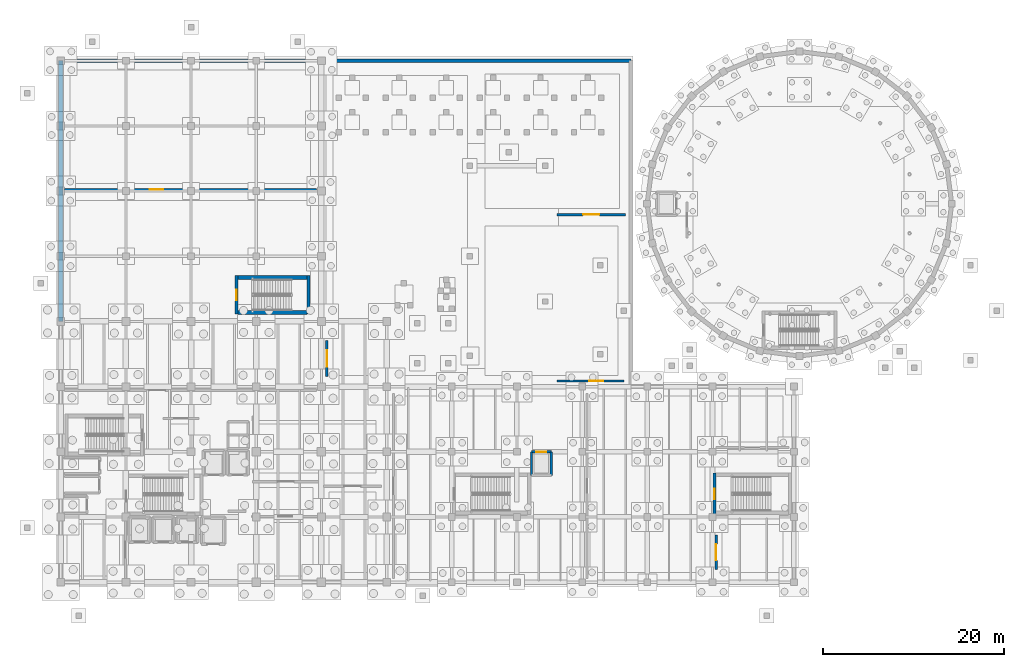
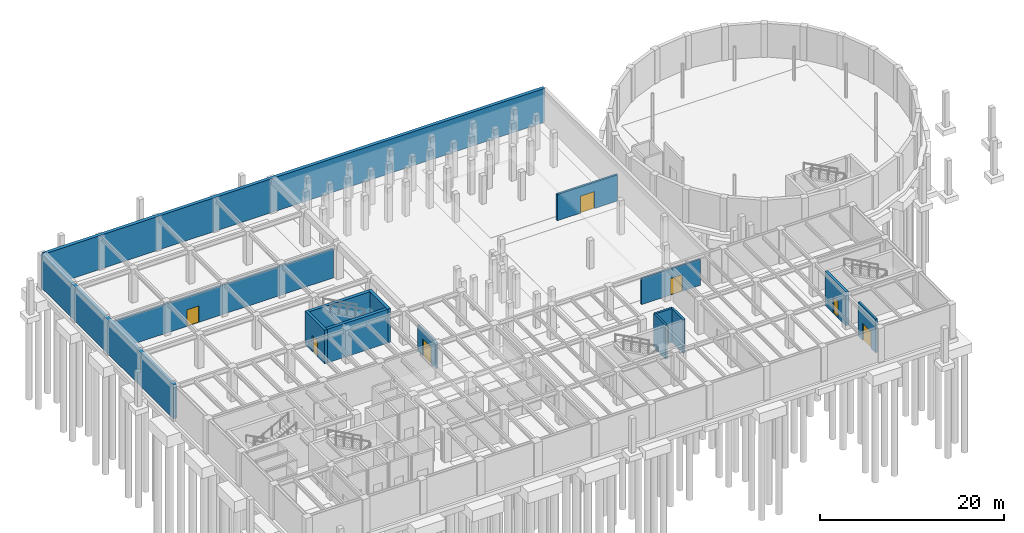
# One storey, part 15 of 26: 15 walls, 8 doors, 8 openings.
"""IFC4 building model written with IfcOpenShell, lengths in metres."""

from ifc_helpers import new_model, si_unit, direction, frame, frame_2d, origin, place, context, subcontext, project, spatial, rectangle, extrude, material, layer, layer_set, type_object, element, fill, save


model = new_model("IFC4")

# Units and contexts
model_context = context("Model", 3, precision=1e-05, world=origin(), true_north=direction((0.0, 1.0)))
body_context = subcontext(model_context, "Body", "Model", "MODEL_VIEW")
ifc_project = project(units=[si_unit("LENGTHUNIT", "METRE"), si_unit("AREAUNIT", "SQUARE_METRE"), si_unit("VOLUMEUNIT", "CUBIC_METRE"), si_unit("PLANEANGLEUNIT", "RADIAN"), si_unit("MASSUNIT", "GRAM", prefix="KILO")], contexts=[model_context])

# Site, building, storey
site_placement = place(None, origin())
site = spatial("IfcSite", under=ifc_project, at=site_placement, CompositionType="ELEMENT")
building_placement = place(site_placement, origin())
building = spatial("IfcBuilding", under=site, at=building_placement, Name="Kandorven Conservatory and Botanical Research Centre", CompositionType="ELEMENT")
storey_placement = place(building_placement, frame((0.0, 0.0, -4.800048828125)))
storey = spatial("IfcBuildingStorey", under=building, at=storey_placement, Name="B01", CompositionType="ELEMENT", Elevation=-4.800048828125)

# Walls
ifc_material_1 = material(Name="Concrete C40/50 (M50)", Category="concrete")
ifc_layer_1 = layer(ifc_material_1, 0.39990234375)
ifc_layer_set_1 = layer_set([ifc_layer_1], Name="Concrete C40/50 (M50)")
wall_type_1 = type_object("IfcWallType", Name="Wall_CW-RC-1", PredefinedType="SHEAR", material=ifc_layer_set_1)
for number, where, z_axis, x_axis, name in (
    (1, (25.60009765625, 35.794921875, 0.0), (0.0, 0.0, 1.0), (1.0, 0.0, 0.0), "Core stair shear wall CW-RC-1 ST-V2 B01 side A"),
    (2, (25.60009765625, 39.655029296875, 0.0), (0.0, 0.0, 1.0), (1.0, 0.0, 0.0), "Core stair shear wall CW-RC-1 ST-V2 B01 side B"),
):
    element("IfcWall", number, at=place(storey_placement, frame(where, z_axis=z_axis, x_axis=x_axis)), inside=storey, type_object=wall_type_1, Name=name, PredefinedType="SHEAR", context=body_context, shape_type="SweptSolid", body=[
        extrude(rectangle(XDim=7.599853515625, YDim=0.39990234375, at=frame_2d((3.7998046875, 0.0))), origin(), (0.0, 0.0, 1.0), 4.5),
    ])

# Wall, opening, door
ifc_material_2 = material(Name="Concrete C40/50 (M50)", Category="concrete")
ifc_layer_2 = layer(ifc_material_2, 0.35009765625)
ifc_layer_set_2 = layer_set([ifc_layer_2], Name="Concrete C40/50 (M50)")
wall_type_2 = type_object("IfcWallType", Name="Wall_CW-RC-2", PredefinedType="SHEAR", material=ifc_layer_set_2)
wall_1_placement = place(storey_placement, frame((78.22509765625, 13.449951171875, 0.0), z_axis=(0.0, 0.0, 1.0), x_axis=(0.0, 1.0, 0.0)))
wall_1 = element("IfcWall", 3, at=wall_1_placement, inside=storey, type_object=wall_type_2, Name="Core stair shear wall CW-RC-2 ST-V3B B01 entry", PredefinedType="SHEAR", context=body_context, shape_type="SweptSolid", body=[
    extrude(rectangle(XDim=4.590087890625, YDim=0.35009765625, at=frame_2d((2.294921875, 0.0))), origin(), (0.0, 0.0, 1.0), 4.5),
])
opening_1_placement = place(wall_1_placement, frame((1.719970703125, 0.0, 0.0)))
opening_1 = element("IfcOpeningElement", 4, at=opening_1_placement, cuts=wall_1, Name="Opening FD-2", PredefinedType="OPENING", context=body_context, shape_type="SweptSolid", body=[
    extrude(rectangle(XDim=1.14990234375, YDim=2.199951171875, at=frame_2d((0.574951171875, 1.10009765625))), frame((0.0, 0.18505859375, 0.0), z_axis=(0.0, -1.0, 0.0), x_axis=(1.0, 0.0, 0.0)), (0.0, 0.0, 1.0), 0.3701171875),
])
ifc_material_3 = material(Name="Galvanised hollow steel fire door assembly", Category="steel")
door_type_1 = type_object("IfcDoorType", Name="Door_FD-2", OperationType="NOTDEFINED", PredefinedType="DOOR", material=ifc_material_3)
door_1_placement = place(opening_1_placement, origin())
door_1 = element("IfcDoor", 5, at=door_1_placement, inside=storey, type_object=door_type_1, Name="Exit stair fire door FD-2 ST-V3B B01", OperationType="SINGLE_SWING_RIGHT", OverallHeight=2.199951171875, OverallWidth=1.14990234375, PredefinedType="DOOR", context=body_context, shape_type="SweptSolid", body=[
    extrude(rectangle(XDim=1.14990234375, YDim=2.199951171875, at=frame_2d((0.574951171875, 1.10009765625))), frame((0.0, 0.02490234375, 0.0), z_axis=(0.0, -1.0, 0.0), x_axis=(1.0, 0.0, 0.0)), (0.0, 0.0, 1.0), 0.050048828125),
])
fill(opening_1, door_1)

wall_2_placement = place(storey_placement, frame((25.425048828125, 35.60009765625, 0.0), z_axis=(0.0, 0.0, 1.0), x_axis=(0.0, 1.0, 0.0)))
wall_2 = element("IfcWall", 6, at=wall_2_placement, inside=storey, type_object=wall_type_2, Name="Core stair shear wall CW-RC-2 ST-V2 B01 entry", PredefinedType="SHEAR", context=body_context, shape_type="SweptSolid", body=[
    extrude(rectangle(XDim=4.25, YDim=0.35009765625, at=frame_2d((2.125, 0.0))), origin(), (0.0, 0.0, 1.0), 4.5),
])
opening_2_placement = place(wall_2_placement, frame((1.550048828125, 0.0, 0.0)))
opening_2 = element("IfcOpeningElement", 7, at=opening_2_placement, cuts=wall_2, Name="Opening FD-2", PredefinedType="OPENING", context=body_context, shape_type="SweptSolid", body=[
    extrude(rectangle(XDim=1.14990234375, YDim=2.199951171875, at=frame_2d((0.574951171875, 1.10009765625))), frame((0.0, 0.18505859375, 0.0), z_axis=(0.0, -1.0, 0.0), x_axis=(1.0, 0.0, 0.0)), (0.0, 0.0, 1.0), 0.3701171875),
])
door_2_placement = place(opening_2_placement, origin())
door_2 = element("IfcDoor", 8, at=door_2_placement, inside=storey, type_object=door_type_1, Name="Exit stair fire door FD-2 ST-V2 B01", OperationType="SINGLE_SWING_RIGHT", OverallHeight=2.199951171875, OverallWidth=1.14990234375, PredefinedType="DOOR", context=body_context, shape_type="SweptSolid", body=[
    extrude(rectangle(XDim=1.14990234375, YDim=2.199951171875, at=frame_2d((0.574951171875, 1.10009765625))), frame((0.0, 0.02490234375, 0.0), z_axis=(0.0, -1.0, 0.0), x_axis=(1.0, 0.0, 0.0)), (0.0, 0.0, 1.0), 0.050048828125),
])
fill(opening_2, door_2)

# Wall
wall_3_placement = place(storey_placement, frame((33.375, 35.60009765625, 0.0), z_axis=(0.0, 0.0, 1.0), x_axis=(0.0, 1.0, 0.0)))
element("IfcWall", 9, at=wall_3_placement, inside=storey, type_object=wall_type_2, Name="Core stair shear wall CW-RC-2 ST-V2 B01 far", PredefinedType="SHEAR", context=body_context, shape_type="SweptSolid", body=[
    extrude(rectangle(XDim=4.25, YDim=0.35009765625, at=frame_2d((2.125, 0.0))), origin(), (0.0, 0.0, 1.0), 4.5),
])

# Wall, opening, door
wall_4_placement = place(storey_placement, frame((58.0, 20.39990234375, 0.0), z_axis=(0.0, 0.0, 1.0), x_axis=(1.0, 0.0, 0.0)))
wall_4 = element("IfcWall", 10, at=wall_4_placement, inside=storey, type_object=wall_type_2, Name="Lift shaft wall VL-1 B01 N", PredefinedType="SHEAR", context=body_context, shape_type="SweptSolid", body=[
    extrude(rectangle(XDim=2.199951171875, YDim=0.25, at=frame_2d((1.10009765625, 0.0))), origin(), (0.0, 0.0, 1.0), 4.5),
])
opening_3_placement = place(wall_4_placement, frame((0.550048828125, 0.0, 0.0)))
opening_3 = element("IfcOpeningElement", 11, at=opening_3_placement, cuts=wall_4, Name="Opening LD-01", PredefinedType="OPENING", context=body_context, shape_type="SweptSolid", body=[
    extrude(rectangle(XDim=1.10009765625, YDim=2.199951171875, at=frame_2d((0.550048828125, 1.10009765625))), frame((0.0, 0.135009765625, 0.0), z_axis=(0.0, -1.0, 0.0), x_axis=(1.0, 0.0, 0.0)), (0.0, 0.0, 1.0), 0.27001953125),
])
ifc_material_4 = material(Name="Anodised aluminium sliding landing door", Category="aluminium")
door_type_2 = type_object("IfcDoorType", Name="Door_LD-01", OperationType="DOUBLE_DOOR_SLIDING", PredefinedType="DOOR", material=ifc_material_4)
door_3_placement = place(opening_3_placement, origin())
door_3 = element("IfcDoor", 12, at=door_3_placement, inside=storey, type_object=door_type_2, Name="Lift landing sliding door LD-01 (VL-1 B01)", OperationType="DOUBLE_DOOR_SLIDING", OverallHeight=2.199951171875, OverallWidth=1.10009765625, PredefinedType="DOOR", context=body_context, shape_type="SweptSolid", body=[
    extrude(rectangle(XDim=1.10009765625, YDim=2.199951171875, at=frame_2d((0.550048828125, 1.10009765625))), frame((0.0, 0.02490234375, 0.0), z_axis=(0.0, -1.0, 0.0), x_axis=(1.0, 0.0, 0.0)), (0.0, 0.0, 1.0), 0.050048828125),
])
fill(opening_3, door_3)

# Walls
for number, where, z_axis, x_axis, name in (
    (13, (58.0, 17.800048828125, 0.0), (0.0, 0.0, 1.0), (0.0, 1.0, 0.0), "Lift shaft wall VL-1 B01 W"),
    (14, (60.199951171875, 17.800048828125, 0.0), (0.0, 0.0, 1.0), (0.0, 1.0, 0.0), "Lift shaft wall VL-1 B01 E"),
):
    element("IfcWall", number, at=place(storey_placement, frame(where, z_axis=z_axis, x_axis=x_axis)), inside=storey, type_object=wall_type_2, Name=name, PredefinedType="SHEAR", context=body_context, shape_type="SweptSolid", body=[
        extrude(rectangle(XDim=2.599853515625, YDim=0.25, at=frame_2d((1.2998046875, 0.0))), origin(), (0.0, 0.0, 1.0), 4.5),
    ])

# Wall, opening, door
ifc_material_5 = material(Name="Concrete C32/40 (M40)", Category="concrete")
ifc_layer_3 = layer(ifc_material_5, 0.25)
ifc_layer_set_3 = layer_set([ifc_layer_3], Name="Concrete C32/40 (M40)")
wall_type_3 = type_object("IfcWallType", Name="Wall_IW-FR-1", PredefinedType="SOLIDWALL", material=ifc_layer_set_3)
wall_5_placement = place(storey_placement, frame((35.39990234375, 28.699951171875, 0.0), z_axis=(0.0, 0.0, 1.0), x_axis=(0.0, 1.0, 0.0)))
wall_5 = element("IfcWall", 15, at=wall_5_placement, inside=storey, type_object=wall_type_3, Name="Interior fire partition wall IW-FR-1 (Basement Herbarium Duplicate Specimen Vault)", PredefinedType="SOLIDWALL", context=body_context, shape_type="SweptSolid", body=[
    extrude(rectangle(XDim=4.0, YDim=0.25, at=frame_2d((2.0, 0.0))), origin(), (0.0, 0.0, 1.0), 3.47998046875),
])
opening_4_placement = place(wall_5_placement, frame((1.10009765625, 0.0, 0.0)))
opening_4 = element("IfcOpeningElement", 16, at=opening_4_placement, cuts=wall_5, Name="Opening FD-4", PredefinedType="OPENING", context=body_context, shape_type="SweptSolid", body=[
    extrude(rectangle(XDim=1.800048828125, YDim=2.25, at=frame_2d((0.89990234375, 1.125))), frame((0.0, 0.135009765625, 0.0), z_axis=(0.0, -1.0, 0.0), x_axis=(1.0, 0.0, 0.0)), (0.0, 0.0, 1.0), 0.27001953125),
])
ifc_material_6 = material(Name="Galvanised hollow steel fire door assembly", Category="steel")
door_type_3 = type_object("IfcDoorType", Name="Door_FD-4", OperationType="NOTDEFINED", PredefinedType="DOOR", material=ifc_material_6)
door_4_placement = place(opening_4_placement, origin())
door_4 = element("IfcDoor", 17, at=door_4_placement, inside=storey, type_object=door_type_3, Name="Interior door FD-4 to Basement Herbarium Duplicate Specimen Vault", OperationType="DOUBLE_DOOR_SINGLE_SWING", OverallHeight=2.25, OverallWidth=1.800048828125, PredefinedType="DOOR", context=body_context, shape_type="SweptSolid", body=[
    extrude(rectangle(XDim=1.800048828125, YDim=2.25, at=frame_2d((0.89990234375, 1.125))), frame((0.0, 0.02490234375, 0.0), z_axis=(0.0, -1.0, 0.0), x_axis=(1.0, 0.0, 0.0)), (0.0, 0.0, 1.0), 0.050048828125),
])
fill(opening_4, door_4)

wall_6_placement = place(storey_placement, frame((60.800048828125, 46.60009765625, 0.0), z_axis=(0.0, 0.0, 1.0), x_axis=(1.0, 0.0, 0.0)))
wall_6 = element("IfcWall", 18, at=wall_6_placement, inside=storey, type_object=wall_type_3, Name="Interior fire partition wall IW-FR-1 (Conservatory Growing Media and Horticultural Store)", PredefinedType="SOLIDWALL", context=body_context, shape_type="SweptSolid", body=[
    extrude(rectangle(XDim=7.599853515625, YDim=0.25, at=frame_2d((3.7998046875, 0.0))), origin(), (0.0, 0.0, 1.0), 3.47998046875),
])
opening_5_placement = place(wall_6_placement, frame((2.89990234375, 0.0, 0.0)))
opening_5 = element("IfcOpeningElement", 19, at=opening_5_placement, cuts=wall_6, Name="Opening FD-4", PredefinedType="OPENING", context=body_context, shape_type="SweptSolid", body=[
    extrude(rectangle(XDim=1.800048828125, YDim=2.25, at=frame_2d((0.89990234375, 1.125))), frame((0.0, 0.135009765625, 0.0), z_axis=(0.0, -1.0, 0.0), x_axis=(1.0, 0.0, 0.0)), (0.0, 0.0, 1.0), 0.27001953125),
])
door_5_placement = place(opening_5_placement, frame((1.800048828125, 0.0, 0.0), z_axis=(0.0, 0.0, 1.0), x_axis=(-1.0, 0.0, 0.0)))
door_5 = element("IfcDoor", 20, at=door_5_placement, inside=storey, type_object=door_type_3, Name="Interior door FD-4 to Conservatory Growing Media and Horticultural Store", OperationType="DOUBLE_DOOR_SINGLE_SWING", OverallHeight=2.25, OverallWidth=1.800048828125, PredefinedType="DOOR", context=body_context, shape_type="SweptSolid", body=[
    extrude(rectangle(XDim=1.800048828125, YDim=2.25, at=frame_2d((0.89990234375, 1.125))), frame((0.0, 0.02490234375, 0.0), z_axis=(0.0, -1.0, 0.0), x_axis=(1.0, 0.0, 0.0)), (0.0, 0.0, 1.0), 0.050048828125),
])
fill(opening_5, door_5)

wall_7_placement = place(storey_placement, frame((78.39990234375, 7.39990234375, 0.0), z_axis=(0.0, 0.0, 1.0), x_axis=(0.0, 1.0, 0.0)))
wall_7 = element("IfcWall", 21, at=wall_7_placement, inside=storey, type_object=wall_type_3, Name="Interior fire partition wall IW-FR-1 (Botanical Rare Seed Index Vault B01)", PredefinedType="SOLIDWALL", context=body_context, shape_type="SweptSolid", body=[
    extrude(rectangle(XDim=3.800048828125, YDim=0.25, at=frame_2d((1.89990234375, 0.0))), origin(), (0.0, 0.0, 1.0), 4.47998046875),
])
opening_6_placement = place(wall_7_placement, frame((1.0, 0.0, 0.0)))
opening_6 = element("IfcOpeningElement", 22, at=opening_6_placement, cuts=wall_7, Name="Opening FD-4", PredefinedType="OPENING", context=body_context, shape_type="SweptSolid", body=[
    extrude(rectangle(XDim=1.800048828125, YDim=2.25, at=frame_2d((0.89990234375, 1.125))), frame((0.0, 0.135009765625, 0.0), z_axis=(0.0, -1.0, 0.0), x_axis=(1.0, 0.0, 0.0)), (0.0, 0.0, 1.0), 0.27001953125),
])
door_6_placement = place(opening_6_placement, frame((1.800048828125, 0.0, 0.0), z_axis=(0.0, 0.0, 1.0), x_axis=(-1.0, 0.0, 0.0)))
door_6 = element("IfcDoor", 23, at=door_6_placement, inside=storey, type_object=door_type_3, Name="Interior door FD-4 to Botanical Rare Seed Index Vault B01", OperationType="DOUBLE_DOOR_SINGLE_SWING", OverallHeight=2.25, OverallWidth=1.800048828125, PredefinedType="DOOR", context=body_context, shape_type="SweptSolid", body=[
    extrude(rectangle(XDim=1.800048828125, YDim=2.25, at=frame_2d((0.89990234375, 1.125))), frame((0.0, 0.02490234375, 0.0), z_axis=(0.0, -1.0, 0.0), x_axis=(1.0, 0.0, 0.0)), (0.0, 0.0, 1.0), 0.050048828125),
])
fill(opening_6, door_6)

ifc_material_7 = material(Name="Concrete C32/40 (M40)", Category="concrete")
ifc_layer_4 = layer(ifc_material_7, 0.22509765625)
ifc_layer_set_4 = layer_set([ifc_layer_4], Name="Concrete C32/40 (M40)")
wall_type_4 = type_object("IfcWallType", Name="Wall_IW-FR-2", PredefinedType="SOLIDWALL", material=ifc_layer_set_4)
wall_8_placement = place(storey_placement, frame((6.39990234375, 49.39990234375, 0.0), z_axis=(0.0, 0.0, 1.0), x_axis=(1.0, 0.0, 0.0)))
wall_8 = element("IfcWall", 24, at=wall_8_placement, inside=storey, type_object=wall_type_4, Name="Interior fire partition wall IW-FR-2 (Fire Pump and 200 m3 Underground Fire Tank Room)", PredefinedType="SOLIDWALL", context=body_context, shape_type="SweptSolid", body=[
    extrude(rectangle(XDim=27.85009765625, YDim=0.22509765625, at=frame_2d((13.925048828125, 0.0))), origin(), (0.0, 0.0, 1.0), 3.89013671875),
])
opening_7_placement = place(wall_8_placement, frame((9.447509765625, 0.0, 0.0)))
opening_7 = element("IfcOpeningElement", 25, at=opening_7_placement, cuts=wall_8, Name="Opening FD-3", PredefinedType="OPENING", context=body_context, shape_type="SweptSolid", body=[
    extrude(rectangle(XDim=1.5, YDim=2.199951171875, at=frame_2d((0.75, 1.10009765625))), frame((0.0, 0.12255859375, 0.0), z_axis=(0.0, -1.0, 0.0), x_axis=(1.0, 0.0, 0.0)), (0.0, 0.0, 1.0), 0.2451171875),
])
ifc_material_8 = material(Name="Galvanised hollow steel fire door assembly", Category="steel")
door_type_4 = type_object("IfcDoorType", Name="Door_FD-3", OperationType="NOTDEFINED", PredefinedType="DOOR", material=ifc_material_8)
door_7_placement = place(opening_7_placement, origin())
door_7 = element("IfcDoor", 26, at=door_7_placement, inside=storey, type_object=door_type_4, Name="Interior door FD-3 to Fire Pump and 200 m3 Underground Fire Tank Room", OperationType="SINGLE_SWING_LEFT", OverallHeight=2.199951171875, OverallWidth=1.5, PredefinedType="DOOR", context=body_context, shape_type="SweptSolid", body=[
    extrude(rectangle(XDim=1.5, YDim=2.199951171875, at=frame_2d((0.75, 1.10009765625))), frame((0.0, 0.02490234375, 0.0), z_axis=(0.0, -1.0, 0.0), x_axis=(1.0, 0.0, 0.0)), (0.0, 0.0, 1.0), 0.050048828125),
])
fill(opening_7, door_7)

wall_9_placement = place(storey_placement, frame((60.800048828125, 28.199951171875, 0.0), z_axis=(0.0, 0.0, 1.0), x_axis=(1.0, 0.0, 0.0)))
wall_9 = element("IfcWall", 27, at=wall_9_placement, inside=storey, type_object=wall_type_4, Name="Interior fire partition wall IW-FR-2 (Botanical Germplasm Cold Storage Archive)", PredefinedType="SOLIDWALL", context=body_context, shape_type="SweptSolid", body=[
    extrude(rectangle(XDim=7.39990234375, YDim=0.22509765625, at=frame_2d((3.699951171875, 0.0))), origin(), (0.0, 0.0, 1.0), 3.47998046875),
])
opening_8_placement = place(wall_9_placement, frame((3.610107421875, 0.0, 0.0)))
opening_8 = element("IfcOpeningElement", 28, at=opening_8_placement, cuts=wall_9, Name="Opening FD-3", PredefinedType="OPENING", context=body_context, shape_type="SweptSolid", body=[
    extrude(rectangle(XDim=1.5, YDim=2.199951171875, at=frame_2d((0.75, 1.10009765625))), frame((0.0, 0.12255859375, 0.0), z_axis=(0.0, -1.0, 0.0), x_axis=(1.0, 0.0, 0.0)), (0.0, 0.0, 1.0), 0.2451171875),
])
door_8_placement = place(opening_8_placement, origin())
door_8 = element("IfcDoor", 29, at=door_8_placement, inside=storey, type_object=door_type_4, Name="Interior door FD-3 to Botanical Germplasm Cold Storage Archive", OperationType="SINGLE_SWING_LEFT", OverallHeight=2.199951171875, OverallWidth=1.5, PredefinedType="DOOR", context=body_context, shape_type="SweptSolid", body=[
    extrude(rectangle(XDim=1.5, YDim=2.199951171875, at=frame_2d((0.75, 1.10009765625))), frame((0.0, 0.02490234375, 0.0), z_axis=(0.0, -1.0, 0.0), x_axis=(1.0, 0.0, 0.0)), (0.0, 0.0, 1.0), 0.050048828125),
])
fill(opening_8, door_8)

# Walls
ifc_material_9 = material(Name="Concrete C32/40 (M40)", Category="concrete")
ifc_layer_5 = layer(ifc_material_9, 0.449951171875)
ifc_layer_set_5 = layer_set([ifc_layer_5], Name="Concrete C32/40 (M40)")
wall_type_5 = type_object("IfcWallType", Name="Wall_RW-01", PredefinedType="USERDEFINED", material=ifc_layer_set_5)
wall_10_placement = place(storey_placement, frame((6.0, 63.60009765625, 0.0), z_axis=(0.0, 0.0, 1.0), x_axis=(0.0, -1.0, 0.0)))
element("IfcWall", 30, at=wall_10_placement, inside=storey, type_object=wall_type_5, Name="Basement retaining wall RW-01 (450 mm) W1", ObjectType="RETAININGWALL", PredefinedType="USERDEFINED", context=body_context, shape_type="SweptSolid", body=[
    extrude(rectangle(XDim=28.800048828125, YDim=0.449951171875, at=frame_2d((14.39990234375, 0.0))), origin(), (0.0, 0.0, 1.0), 4.5),
])
ifc_material_10 = material(Name="Concrete C32/40 (M40)", Category="concrete")
ifc_layer_6 = layer(ifc_material_10, 0.419921875)
ifc_layer_set_6 = layer_set([ifc_layer_6], Name="Concrete C32/40 (M40)")
wall_type_6 = type_object("IfcWallType", Name="Wall_RW-02", PredefinedType="USERDEFINED", material=ifc_layer_set_6)
wall_11_placement = place(storey_placement, frame((69.0, 63.60009765625, 0.0), z_axis=(0.0, 0.0, 1.0), x_axis=(-1.0, 0.0, 0.0)))
element("IfcWall", 31, at=wall_11_placement, inside=storey, type_object=wall_type_6, Name="Basement retaining wall RW-02 (420 mm) N3", ObjectType="RETAININGWALL", PredefinedType="USERDEFINED", context=body_context, shape_type="SweptSolid", body=[
    extrude(rectangle(XDim=63.0, YDim=0.419921875, at=frame_2d((31.5, 0.0))), origin(), (0.0, 0.0, 1.0), 4.5),
])

save(model, "model.ifc")
